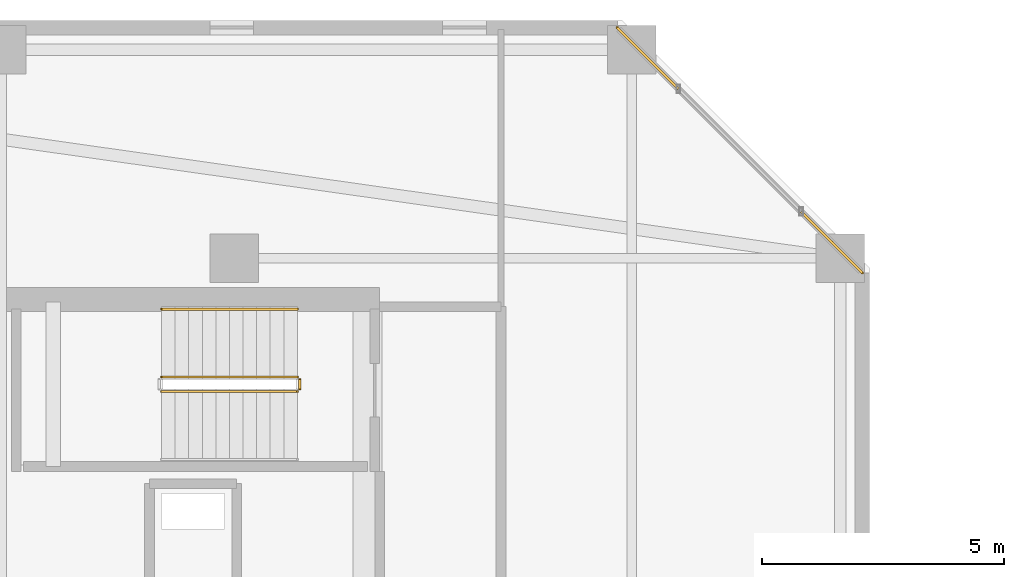
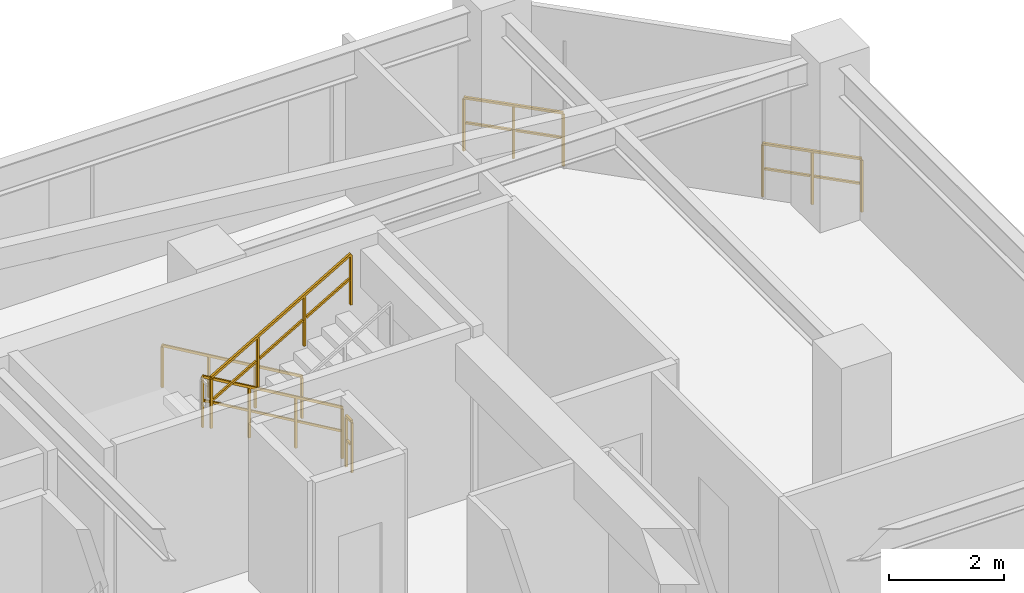
# One storey, part 30 of 32: 6 railings.
"""IFC4 building model written with IfcOpenShell, lengths in metres."""

import ifcopenshell
import ifcopenshell.guid

model = None  # the IFC model being written
_history = None  # IfcOwnerHistory: only IFC2X3 demands one
_inside = {}  # id of a spatial element -> (the spatial element, [elements in it])
_under = {}  # id of a project, library or spatial element -> (it, [spatial elements below it])
_declared = {}  # id of a project -> (the project, [libraries it declares])
_typed = {}  # id of a type object -> (the type object, [elements of that type])
_made_of = {}  # id of a material, layer set ... -> (it, [elements and type objects made of it])


def new_model(schema):
    """Start an empty IFC model of exactly this schema.

    Asked for "IFC4X3", IfcOpenShell would pick the latest addendum, in which some entities
    have other attributes; the version numbers below select the first issue.
    IFC2X3 requires an IfcOwnerHistory on every rooted entity: one is made here for all.
    """
    global model, _history
    if schema == "IFC4X3":
        model = ifcopenshell.file(schema_version=(4, 3, 0, 0))
    else:
        model = ifcopenshell.file(schema=schema)
    _inside.clear()
    _under.clear()
    _declared.clear()
    _typed.clear()
    _made_of.clear()
    _history = None
    if model.schema == "IFC2X3":
        org = make("IfcOrganization", Name="unknown")
        user = make(
            "IfcPersonAndOrganization",
            ThePerson=make("IfcPerson", FamilyName="unknown"),
            TheOrganization=org,
        )
        app = make(
            "IfcApplication",
            ApplicationDeveloper=org,
            Version="unknown",
            ApplicationFullName="unknown",
            ApplicationIdentifier="unknown",
        )
        _history = make(
            "IfcOwnerHistory",
            OwningUser=user,
            OwningApplication=app,
            ChangeAction="ADDED",
            CreationDate=0,
        )
    return model


def make(cls, **values):
    """One entity of the class cls with the attributes given. An attribute that is None is left unset."""
    return model.create_entity(
        cls, **{name: value for name, value in values.items() if value is not None}
    )


def rooted(cls, **values):
    """An entity with a GlobalId (a new one), such as an element, a storey or a relation."""
    return make(cls, GlobalId=ifcopenshell.guid.new(), OwnerHistory=_history, **values)


def si_unit(unit_type, name, prefix=None):
    """IfcSIUnit, for example si_unit("LENGTHUNIT", "METRE", prefix="MILLI")."""
    return make("IfcSIUnit", UnitType=unit_type, Prefix=prefix, Name=name)


def assignment(units):
    """IfcUnitAssignment: the units of a project."""
    return None if units is None else make("IfcUnitAssignment", Units=units)


def point(xyz):
    """IfcCartesianPoint."""
    return None if xyz is None else make("IfcCartesianPoint", Coordinates=xyz)


def direction(xyz):
    """IfcDirection."""
    return None if xyz is None else make("IfcDirection", DirectionRatios=xyz)


def frame(location, z_axis=None, x_axis=None):
    """IfcAxis2Placement3D, a coordinate frame: its origin and axes. An axis left out is left unset."""
    return make(
        "IfcAxis2Placement3D",
        Location=point(location),
        Axis=direction(z_axis),
        RefDirection=direction(x_axis),
    )


def frame_2d(location, x_axis=None):
    """IfcAxis2Placement2D, a coordinate frame in the plane: its origin and x axis."""
    return make(
        "IfcAxis2Placement2D", Location=point(location), RefDirection=direction(x_axis)
    )


def origin():
    """The frame at (0, 0, 0) with its axes left unset."""
    return frame((0.0, 0.0, 0.0))


def origin_2d():
    """The frame at (0, 0) in the plane with its x axis left unset."""
    return frame_2d((0.0, 0.0))


def place(relative_to, where):
    """IfcLocalPlacement: puts the frame where relative to a parent placement (None: the world)."""
    return make(
        "IfcLocalPlacement", PlacementRelTo=relative_to, RelativePlacement=where
    )


def context(
    kind, dimensions, precision=None, world=None, true_north=None, identifier=None
):
    """IfcGeometricRepresentationContext, for example the 3D "Model" context."""
    return make(
        "IfcGeometricRepresentationContext",
        ContextIdentifier=identifier,
        ContextType=kind,
        CoordinateSpaceDimension=dimensions,
        Precision=precision,
        WorldCoordinateSystem=world,
        TrueNorth=true_north,
    )


def subcontext(parent, identifier, kind, view, scale=None):
    """IfcGeometricRepresentationSubContext, for example "Body" below "Model"."""
    return make(
        "IfcGeometricRepresentationSubContext",
        ContextIdentifier=identifier,
        ContextType=kind,
        ParentContext=parent,
        TargetScale=scale,
        TargetView=view,
    )


def project(units=None, contexts=None):
    """IfcProject with its units and contexts."""
    return rooted(
        "IfcProject",
        Name="project",
        RepresentationContexts=contexts,
        UnitsInContext=assignment(units),
    )


def spatial(cls, under=None, at=None, **own):
    """A site, building, storey or space (cls), placed at a placement, below another one or the project."""
    s = rooted(cls, ObjectPlacement=at, **own)
    if under is not None:
        _under.setdefault(under.id(), (under, []))[1].append(s)
    return s


def profile(cls, at=None, kind="AREA", **sizes):
    """A parametric profile (cls). Its sizes go by their IFC names, for example OverallWidth=200.0."""
    return make(cls, ProfileType=kind, Position=at, **sizes)


def rectangle(**sizes):
    """IfcRectangleProfileDef."""
    return profile("IfcRectangleProfileDef", **sizes)


def extrude(swept, where, along, depth):
    """IfcExtrudedAreaSolid: the profile swept, set in the frame where, extruded along a direction by depth."""
    return make(
        "IfcExtrudedAreaSolid",
        SweptArea=swept,
        Position=where,
        ExtrudedDirection=direction(along),
        Depth=depth,
    )


def shape(context_of_items, identifier, shape_type, items):
    """IfcShapeRepresentation: the items that make up one representation, for example the "Body"."""
    return make(
        "IfcShapeRepresentation",
        ContextOfItems=context_of_items,
        RepresentationIdentifier=identifier,
        RepresentationType=shape_type,
        Items=items,
    )


def material(Name=None, Category=None):
    """IfcMaterial."""
    return make("IfcMaterial", Name=Name, Category=Category)


def made_of(thing, what):
    """Note that an element or type object is made of a material, layer set ...; save() writes the relation."""
    if what is not None:
        _made_of.setdefault(what.id(), (what, []))[1].append(thing)
    return thing


def type_object(cls, material=None, **own):
    """A type object (cls), such as IfcWallType, which elements share."""
    return made_of(rooted(cls, **own), material)


def element(
    cls,
    number,
    at=None,
    inside=None,
    cuts=None,
    type_object=None,
    material=None,
    context=None,
    identifier="Body",
    shape_type=None,
    held_by="IfcProductDefinitionShape",
    body=None,
    shapes=None,
    **own,
):
    """One element of the class cls, such as IfcWall. Its Tag is "e" and its number.

    at: its placement. inside: the storey or other place that contains it. cuts: it is an
    opening in that element (IfcRelVoidsElement). A single representation is given by context,
    identifier, shape_type and body (its items); several are given by shapes. held_by: the class
    of the entity that holds the representations. save() writes the other relations.
    """
    e = rooted(cls, Tag="e%d" % number, ObjectPlacement=at, **own)
    if body is not None:
        shapes = [shape(context, identifier, shape_type, body)]
    if shapes is not None:
        e.Representation = make(held_by, Representations=shapes)
    if inside is not None:
        _inside.setdefault(inside.id(), (inside, []))[1].append(e)
    if cuts is not None:
        rooted(
            "IfcRelVoidsElement", RelatingBuildingElement=cuts, RelatedOpeningElement=e
        )
    if type_object is not None:
        _typed.setdefault(type_object.id(), (type_object, []))[1].append(e)
    return made_of(e, material)


def aggregate(whole, parts):
    """IfcRelAggregates: a whole, such as a stair, and the parts it consists of."""
    return rooted("IfcRelAggregates", RelatingObject=whole, RelatedObjects=parts)


def save(model, path):
    """Write the relations noted so far, then the file.

    IfcRelAggregates (storeys below a building ...), IfcRelContainedInSpatialStructure (elements
    in a storey), IfcRelDefinesByType, IfcRelAssociatesMaterial and IfcRelDeclares: one each for
    every whole, place, type object, material and project.
    """
    for whole, parts in _under.values():
        aggregate(whole, parts)
    for where, things in _inside.values():
        rooted(
            "IfcRelContainedInSpatialStructure",
            RelatedElements=things,
            RelatingStructure=where,
        )
    for kind, things in _typed.values():
        rooted("IfcRelDefinesByType", RelatedObjects=things, RelatingType=kind)
    for what, things in _made_of.values():
        rooted("IfcRelAssociatesMaterial", RelatedObjects=things, RelatingMaterial=what)
    for by, libraries in _declared.values():
        rooted("IfcRelDeclares", RelatingContext=by, RelatedDefinitions=libraries)
    model.write(path)


model = new_model("IFC4")

# Units and contexts
model_context = context("Model", 3, precision=1e-05, world=origin(), true_north=direction((0.0, 1.0)))
body_context = subcontext(model_context, "Body", "Model", "MODEL_VIEW")
ifc_project = project(units=[si_unit("LENGTHUNIT", "METRE"), si_unit("AREAUNIT", "SQUARE_METRE"), si_unit("VOLUMEUNIT", "CUBIC_METRE"), si_unit("PLANEANGLEUNIT", "RADIAN"), si_unit("MASSUNIT", "GRAM", prefix="KILO")], contexts=[model_context])

# Site, building, storey
site_placement = place(None, origin())
site = spatial("IfcSite", under=ifc_project, at=site_placement, CompositionType="ELEMENT")
building_placement = place(site_placement, origin())
building = spatial("IfcBuilding", under=site, at=building_placement, Name="Thornwick Lancets Civic Towers", CompositionType="ELEMENT")
storey_placement = place(building_placement, frame((0.0, 0.0, 243.89990234375)))
storey = spatial("IfcBuildingStorey", under=building, at=storey_placement, Name="L65", CompositionType="ELEMENT", Elevation=243.89990234375)

# Railings
ifc_material_1 = material(Name="Brushed stainless steel S355", Category="steel")
railing_type_1 = type_object("IfcRailingType", Name="RAIL_HANDRAIL", PredefinedType="HANDRAIL", material=ifc_material_1)
railing_1_placement = place(storey_placement, frame((31.60009765625, 38.949951171875, 0.163818359375)))
element("IfcRailing", 1, at=railing_1_placement, inside=storey, type_object=railing_type_1, Name="L65 ST-A2 stair handrail 1", PredefinedType="HANDRAIL", context=body_context, shape_type="SweptSolid", body=[
    extrude(rectangle(XDim=0.048095703125, YDim=0.048095703125, at=origin_2d()), frame((0.0, 0.0, 0.8857421875), z_axis=(-0.863393664356, 0.0, 0.504530851732), x_axis=(0.0, -1.0, 0.0)), (0.0, 0.0, 1.0), 3.2431640625),
    extrude(rectangle(XDim=0.0419921875, YDim=0.0419921875, at=origin_2d()), origin(), (0.0, 0.0, 1.0), 0.855712890625),
    extrude(rectangle(XDim=0.0419921875, YDim=0.0419921875, at=origin_2d()), frame((-0.933349609375, 0.0, 0.54541015625)), (0.0, 0.0, 1.0), 0.855712890625),
    extrude(rectangle(XDim=0.0419921875, YDim=0.0419921875, at=origin_2d()), frame((-1.86669921875, 0.0, 1.0908203125)), (0.0, 0.0, 1.0), 0.855712890625),
    extrude(rectangle(XDim=0.0419921875, YDim=0.0419921875, at=origin_2d()), frame((-2.800048828125, 0.0, 1.63623046875)), (0.0, 0.0, 1.0), 0.855712890625),
])
ifc_material_2 = material(Name="Steel S355JR", Category="steel")
railing_type_2 = type_object("IfcRailingType", Name="RAIL_STAIR_GUARD", PredefinedType="GUARDRAIL", material=ifc_material_2)
railing_2_placement = place(storey_placement, frame((31.60009765625, 37.550048828125, 0.163818359375)))
element("IfcRailing", 2, at=railing_2_placement, inside=storey, type_object=railing_type_2, Name="L65 ST-A2 stair guard 1", PredefinedType="GUARDRAIL", context=body_context, shape_type="SweptSolid", body=[
    extrude(rectangle(XDim=0.048095703125, YDim=0.048095703125, at=origin_2d()), frame((0.0, 0.0, 1.076171875), z_axis=(-0.863393664356, 0.0, 0.504530851732), x_axis=(0.0, -1.0, 0.0)), (0.0, 0.0, 1.0), 3.2431640625),
    extrude(rectangle(XDim=0.0419921875, YDim=0.0419921875, at=origin_2d()), frame((-0.032470703125, 0.0, 0.591064453125), z_axis=(-0.863393664356, 0.0, 0.504530851732), x_axis=(0.0, -1.0, 0.0)), (0.0, 0.0, 1.0), 1.006103515625),
    extrude(rectangle(XDim=0.0419921875, YDim=0.0419921875, at=origin_2d()), frame((-0.9658203125, 0.0, 1.136474609375), z_axis=(-0.863393664356, 0.0, 0.504530851732), x_axis=(0.0, -1.0, 0.0)), (0.0, 0.0, 1.0), 1.006103515625),
    extrude(rectangle(XDim=0.0419921875, YDim=0.0419921875, at=origin_2d()), frame((-1.899169921875, 0.0, 1.681884765625), z_axis=(-0.863393664356, 0.0, 0.504530851732), x_axis=(0.0, -1.0, 0.0)), (0.0, 0.0, 1.0), 1.006103515625),
    extrude(rectangle(XDim=0.0419921875, YDim=0.0419921875, at=origin_2d()), origin(), (0.0, 0.0, 1.0), 1.0458984375),
    extrude(rectangle(XDim=0.0419921875, YDim=0.0419921875, at=origin_2d()), frame((-0.933349609375, 0.0, 0.54541015625)), (0.0, 0.0, 1.0), 1.0458984375),
    extrude(rectangle(XDim=0.0419921875, YDim=0.0419921875, at=origin_2d()), frame((-1.86669921875, 0.0, 1.0908203125)), (0.0, 0.0, 1.0), 1.0458984375),
    extrude(rectangle(XDim=0.0419921875, YDim=0.0419921875, at=origin_2d()), frame((-2.800048828125, 0.0, 1.63623046875)), (0.0, 0.0, 1.0), 1.0458984375),
])
railing_3_placement = place(storey_placement, frame((28.800048828125, 37.25, 1.963623046875)))
element("IfcRailing", 3, at=railing_3_placement, inside=storey, type_object=railing_type_2, Name="L65 ST-A2 stair guard 3", PredefinedType="GUARDRAIL", context=body_context, shape_type="SweptSolid", body=[
    extrude(rectangle(XDim=0.048095703125, YDim=0.048095703125, at=origin_2d()), frame((0.0, 0.0, 1.076171875), z_axis=(0.863360870873, 0.0, 0.504586966384), x_axis=(0.0, 1.0, 0.0)), (0.0, 0.0, 1.0), 3.2431640625),
    extrude(rectangle(XDim=0.0419921875, YDim=0.0419921875, at=origin_2d()), frame((0.032470703125, 0.0, 0.591064453125), z_axis=(0.863360870873, 0.0, 0.504586966384), x_axis=(0.0, 1.0, 0.0)), (0.0, 0.0, 1.0), 1.006103515625),
    extrude(rectangle(XDim=0.0419921875, YDim=0.0419921875, at=origin_2d()), frame((0.9658203125, 0.0, 1.136474609375), z_axis=(0.863360870873, 0.0, 0.504586966384), x_axis=(0.0, 1.0, 0.0)), (0.0, 0.0, 1.0), 1.006103515625),
    extrude(rectangle(XDim=0.0419921875, YDim=0.0419921875, at=origin_2d()), frame((1.899169921875, 0.0, 1.681884765625), z_axis=(0.863360870873, 0.0, 0.504586966384), x_axis=(0.0, 1.0, 0.0)), (0.0, 0.0, 1.0), 1.006103515625),
    extrude(rectangle(XDim=0.0419921875, YDim=0.0419921875, at=origin_2d()), origin(), (0.0, 0.0, 1.0), 1.0458984375),
    extrude(rectangle(XDim=0.0419921875, YDim=0.0419921875, at=origin_2d()), frame((0.933349609375, 0.0, 0.54541015625)), (0.0, 0.0, 1.0), 1.0458984375),
    extrude(rectangle(XDim=0.0419921875, YDim=0.0419921875, at=origin_2d()), frame((1.86669921875, 0.0, 1.091064453125)), (0.0, 0.0, 1.0), 1.0458984375),
    extrude(rectangle(XDim=0.0419921875, YDim=0.0419921875, at=origin_2d()), frame((2.800048828125, 0.0, 1.636474609375)), (0.0, 0.0, 1.0), 1.0458984375),
])
railing_4_placement = place(storey_placement, frame((31.64990234375, 37.5, 0.0)))
element("IfcRailing", 4, at=railing_4_placement, inside=storey, type_object=railing_type_2, Name="L65 ST-A2 stair guard 4", PredefinedType="GUARDRAIL", context=body_context, shape_type="SweptSolid", body=[
    extrude(rectangle(XDim=0.048095703125, YDim=0.048095703125, at=origin_2d()), frame((0.0, 0.0, 1.076171875), z_axis=(0.0, -1.0, 0.0), x_axis=(1.0, 0.0, 0.0)), (0.0, 0.0, 1.0), 0.199951171875),
    extrude(rectangle(XDim=0.0419921875, YDim=0.0419921875, at=origin_2d()), frame((0.0, -0.03759765625, 0.572021484375), z_axis=(0.0, -1.0, 0.0), x_axis=(1.0, 0.0, 0.0)), (0.0, 0.0, 1.0), 0.125),
    extrude(rectangle(XDim=0.0419921875, YDim=0.0419921875, at=origin_2d()), origin(), (0.0, 0.0, 1.0), 1.0458984375),
    extrude(rectangle(XDim=0.0419921875, YDim=0.0419921875, at=origin_2d()), frame((0.0, -0.199951171875, 0.0)), (0.0, 0.0, 1.0), 1.0458984375),
])
ifc_material_3 = material(Name="Terracotta-capped laminated glass balustrade S355", Category="masonry")
railing_type_3 = type_object("IfcRailingType", Name="RAIL_TERR_GUARD", PredefinedType="GUARDRAIL", material=ifc_material_3)
for number, where, name in (
    (5, (43.25634765625, 39.699462890625, 0.0), "L65 Tower A Chamfer Spandrel Guard E3-1"),
    (6, (39.4619140625, 43.493896484375, 0.0), "L65 Tower A Chamfer Spandrel Guard E3-2"),
):
    element("IfcRailing", number, at=place(storey_placement, frame(where)), inside=storey, type_object=railing_type_3, Name=name, PredefinedType="GUARDRAIL", context=body_context, shape_type="SweptSolid", body=[
        extrude(rectangle(XDim=0.048095703125, YDim=0.048095703125, at=origin_2d()), frame((0.0, 0.0, 1.1259765625), z_axis=(-0.707106781187, 0.707106781187, 0.0), x_axis=(-0.707106781187, -0.707106781187, 0.0)), (0.0, 0.0, 1.0), 1.785400390625),
        extrude(rectangle(XDim=0.0419921875, YDim=0.0419921875, at=origin_2d()), frame((-0.026611328125, 0.026611328125, 0.597900390625), z_axis=(-0.707106781187, 0.707106781187, 0.0), x_axis=(-0.707106781187, -0.707106781187, 0.0)), (0.0, 0.0, 1.0), 0.817626953125),
        extrude(rectangle(XDim=0.0419921875, YDim=0.0419921875, at=origin_2d()), frame((-0.65771484375, 0.65771484375, 0.597900390625), z_axis=(-0.707106781187, 0.707106781187, 0.0), x_axis=(-0.707106781187, -0.707106781187, 0.0)), (0.0, 0.0, 1.0), 0.817626953125),
        extrude(rectangle(XDim=0.0419921875, YDim=0.0419921875, at=origin_2d()), origin(), (0.0, 0.0, 1.0), 1.095703125),
        extrude(rectangle(XDim=0.0419921875, YDim=0.0419921875, at=origin_2d()), frame((-0.63134765625, 0.63134765625, 0.0)), (0.0, 0.0, 1.0), 1.095703125),
        extrude(rectangle(XDim=0.0419921875, YDim=0.0419921875, at=origin_2d()), frame((-1.262451171875, 1.262451171875, 0.0)), (0.0, 0.0, 1.0), 1.095703125),
    ])

save(model, "model.ifc")
